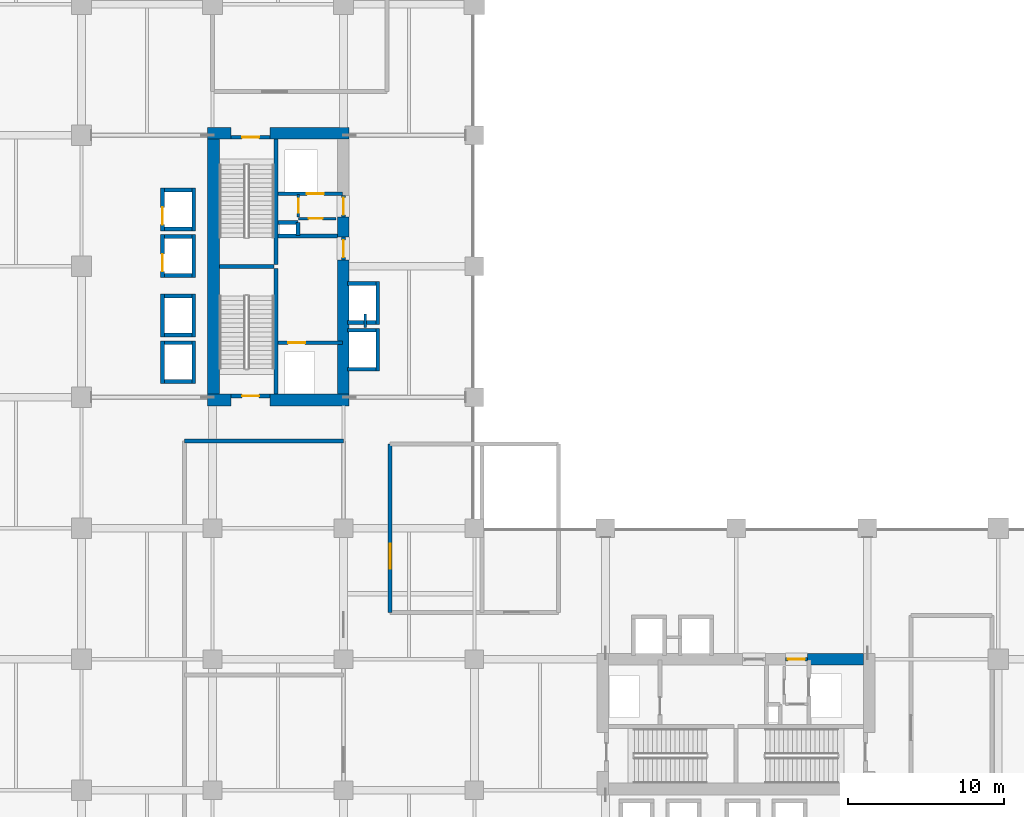
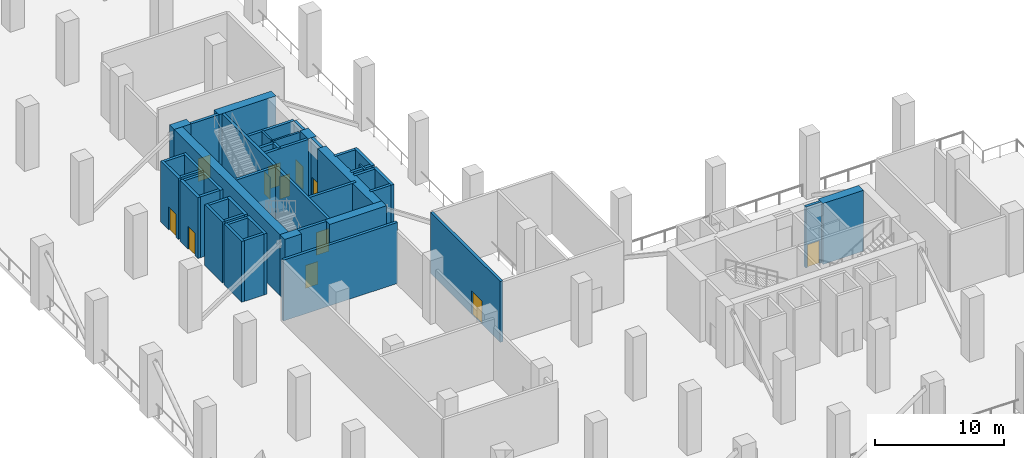
# One storey, part 13 of 19: 48 walls, 12 doors, 12 openings.
"""IFC4 building model written with IfcOpenShell, lengths in metres."""

from ifc_helpers import new_model, si_unit, direction, frame, frame_2d, origin, place, context, subcontext, project, spatial, rectangle, extrude, material, layer, layer_set, type_object, element, fill, save


model = new_model("IFC4")

# Units and contexts
model_context = context("Model", 3, precision=1e-05, world=origin(), true_north=direction((0.0, 1.0)))
body_context = subcontext(model_context, "Body", "Model", "MODEL_VIEW")
ifc_project = project(units=[si_unit("LENGTHUNIT", "METRE"), si_unit("AREAUNIT", "SQUARE_METRE"), si_unit("VOLUMEUNIT", "CUBIC_METRE"), si_unit("PLANEANGLEUNIT", "RADIAN"), si_unit("MASSUNIT", "GRAM", prefix="KILO")], contexts=[model_context])

# Site, building, storey
site_placement = place(None, origin())
site = spatial("IfcSite", under=ifc_project, at=site_placement, CompositionType="ELEMENT")
building_placement = place(site_placement, origin())
building = spatial("IfcBuilding", under=site, at=building_placement, Name="Koriwani Terraces Tower", CompositionType="ELEMENT")
storey_placement = place(building_placement, frame((0.0, 0.0, 94.0)))
storey = spatial("IfcBuildingStorey", under=building, at=storey_placement, Name="L22", CompositionType="ELEMENT", Elevation=94.0)

# Walls
ifc_material_1 = material(Name="Concrete C60/75", Category="concrete")
ifc_layer_1 = layer(ifc_material_1, 0.75, Name="Concrete C60/75")
ifc_layer_set_1 = layer_set([ifc_layer_1], Name="Concrete C60/75")
wall_type_1 = type_object("IfcWallType", Name="WALL_CORE_RC_750", PredefinedType="SHEAR", material=ifc_layer_set_1)
wall_1_placement = place(storey_placement, frame((16.5, 41.824951171875, 0.0), z_axis=(0.0, 0.0, 1.0), x_axis=(1.0, 0.0, 0.0)))
element("IfcWall", 1, at=wall_1_placement, inside=storey, type_object=wall_type_1, Name="L22 West Split Core Shear Wall S1", PredefinedType="SHEAR", context=body_context, shape_type="SweptSolid", body=[
    extrude(rectangle(XDim=1.5, YDim=0.75, at=frame_2d((0.75, 0.0))), origin(), (0.0, 0.0, 1.0), 5.75),
])
wall_2_placement = place(storey_placement, frame((20.5, 41.824951171875, 0.0), z_axis=(0.0, 0.0, 1.0), x_axis=(1.0, 0.0, 0.0)))
element("IfcWall", 2, at=wall_2_placement, inside=storey, type_object=wall_type_1, Name="L22 West Split Core Shear Wall S2", PredefinedType="SHEAR", context=body_context, shape_type="SweptSolid", body=[
    extrude(rectangle(XDim=5.074951171875, YDim=0.75, at=frame_2d((2.53759765625, 0.0))), origin(), (0.0, 0.0, 1.0), 5.75),
])
wall_3_placement = place(storey_placement, frame((16.5, 58.925048828125, 0.0), z_axis=(0.0, 0.0, 1.0), x_axis=(1.0, 0.0, 0.0)))
element("IfcWall", 3, at=wall_3_placement, inside=storey, type_object=wall_type_1, Name="L22 West Split Core Shear Wall N1", PredefinedType="SHEAR", context=body_context, shape_type="SweptSolid", body=[
    extrude(rectangle(XDim=1.5, YDim=0.75, at=frame_2d((0.75, 0.0))), origin(), (0.0, 0.0, 1.0), 5.75),
])
wall_4_placement = place(storey_placement, frame((20.5, 58.925048828125, 0.0), z_axis=(0.0, 0.0, 1.0), x_axis=(1.0, 0.0, 0.0)))
element("IfcWall", 4, at=wall_4_placement, inside=storey, type_object=wall_type_1, Name="L22 West Split Core Shear Wall N2", PredefinedType="SHEAR", context=body_context, shape_type="SweptSolid", body=[
    extrude(rectangle(XDim=5.074951171875, YDim=0.75, at=frame_2d((2.53759765625, 0.0))), origin(), (0.0, 0.0, 1.0), 5.75),
])
wall_5_placement = place(storey_placement, frame((16.875, 42.199951171875, 0.0), z_axis=(0.0, 0.0, 1.0), x_axis=(0.0, 1.0, 0.0)))
element("IfcWall", 5, at=wall_5_placement, inside=storey, type_object=wall_type_1, Name="L22 West Split Core Shear Wall W1", PredefinedType="SHEAR", context=body_context, shape_type="SweptSolid", body=[
    extrude(rectangle(XDim=16.35009765625, YDim=0.75, at=frame_2d((8.175048828125, 0.0))), origin(), (0.0, 0.0, 1.0), 5.75),
])
wall_6_placement = place(storey_placement, frame((25.199951171875, 42.199951171875, 0.0), z_axis=(0.0, 0.0, 1.0), x_axis=(0.0, 1.0, 0.0)))
element("IfcWall", 6, at=wall_6_placement, inside=storey, type_object=wall_type_1, Name="L22 West Split Core Shear Wall E1", PredefinedType="SHEAR", context=body_context, shape_type="SweptSolid", body=[
    extrude(rectangle(XDim=8.60009765625, YDim=0.75, at=frame_2d((4.300048828125, 0.0))), origin(), (0.0, 0.0, 1.0), 5.75),
])
wall_7_placement = place(storey_placement, frame((25.199951171875, 52.280029296875, 0.0), z_axis=(0.0, 0.0, 1.0), x_axis=(0.0, 1.0, 0.0)))
element("IfcWall", 7, at=wall_7_placement, inside=storey, type_object=wall_type_1, Name="L22 West Split Core Shear Wall E2", PredefinedType="SHEAR", context=body_context, shape_type="SweptSolid", body=[
    extrude(rectangle(XDim=1.27001953125, YDim=0.75, at=frame_2d((0.635009765625, 0.0))), origin(), (0.0, 0.0, 1.0), 5.75),
])
wall_8_placement = place(storey_placement, frame((54.949951171875, 25.199951171875, 0.0), z_axis=(0.0, 0.0, 1.0), x_axis=(1.0, 0.0, 0.0)))
element("IfcWall", 8, at=wall_8_placement, inside=storey, type_object=wall_type_1, Name="L22 East Split Core Shear Wall N3", PredefinedType="SHEAR", context=body_context, shape_type="SweptSolid", body=[
    extrude(rectangle(XDim=3.60009765625, YDim=0.75, at=frame_2d((1.800048828125, 0.0))), origin(), (0.0, 0.0, 1.0), 5.75),
])
ifc_material_2 = material(Name="Concrete C40/50", Category="concrete")
ifc_layer_2 = layer(ifc_material_2, 0.25, Name="Concrete C40/50")
ifc_layer_set_2 = layer_set([ifc_layer_2], Name="Concrete C40/50")
wall_type_2 = type_object("IfcWallType", Name="WALL_SHAFT_RATED_250", PredefinedType="SOLIDWALL", material=ifc_layer_set_2)
for number, where, z_axis, x_axis, name in (
    (9, (20.875, 42.199951171875, 0.0), (0.0, 0.0, 1.0), (0.0, 1.0, 0.0), "L22 West Split Core Web Wall MID1"),
    (10, (20.875, 50.5, 0.0), (0.0, 0.0, 1.0), (0.0, 1.0, 0.0), "L22 West Split Core Web Wall MID2"),
):
    element("IfcWall", number, at=place(storey_placement, frame(where, z_axis=z_axis, x_axis=x_axis)), inside=storey, type_object=wall_type_2, Name=name, PredefinedType="SOLIDWALL", context=body_context, shape_type="SweptSolid", body=[
        extrude(rectangle(XDim=8.050048828125, YDim=0.25, at=frame_2d((4.02490234375, 0.0))), origin(), (0.0, 0.0, 1.0), 5.75),
    ])
wall_9_placement = place(storey_placement, frame((17.25, 50.375, 0.0), z_axis=(0.0, 0.0, 1.0), x_axis=(1.0, 0.0, 0.0)))
element("IfcWall", 11, at=wall_9_placement, inside=storey, type_object=wall_type_2, Name="L22 West Split Core Stair Dividing Wall", PredefinedType="SOLIDWALL", context=body_context, shape_type="SweptSolid", body=[
    extrude(rectangle(XDim=3.5, YDim=0.25, at=frame_2d((1.75, 0.0))), origin(), (0.0, 0.0, 1.0), 5.75),
])

# Wall, opening, door
wall_10_placement = place(storey_placement, frame((18.0, 42.074951171875, 0.0), z_axis=(0.0, 0.0, 1.0), x_axis=(1.0, 0.0, 0.0)))
wall_10 = element("IfcWall", 12, at=wall_10_placement, inside=storey, type_object=wall_type_2, Name="L22 Interior Wall WIN-CW-L22-STS", PredefinedType="SOLIDWALL", context=body_context, shape_type="SweptSolid", body=[
    extrude(rectangle(XDim=2.5, YDim=0.25, at=frame_2d((1.25, 0.0))), origin(), (0.0, 0.0, 1.0), 5.75),
])
opening_1_placement = place(wall_10_placement, frame((0.699951171875, 0.0, 0.0)))
opening_1 = element("IfcOpeningElement", 13, at=opening_1_placement, cuts=wall_10, Name="Opening D-03", PredefinedType="OPENING", context=body_context, shape_type="SweptSolid", body=[
    extrude(rectangle(XDim=1.10009765625, YDim=2.14990234375, at=frame_2d((0.550048828125, 1.074951171875))), frame((0.0, 0.135009765625, 0.0), z_axis=(0.0, -1.0, 0.0), x_axis=(1.0, 0.0, 0.0)), (0.0, 0.0, 1.0), 0.27001953125),
])
ifc_material_3 = material(Name="Steel ASTM A572 Grade 50", Category="steel")
door_type_1 = type_object("IfcDoorType", Name="DOOR_STAIR_FIRE_1100X2150", OperationType="NOTDEFINED", PredefinedType="DOOR", material=ifc_material_3)
door_1_placement = place(opening_1_placement, origin())
door_1 = element("IfcDoor", 14, at=door_1_placement, inside=storey, type_object=door_type_1, Name="L22 Exit Stair ST-W1 Door", OperationType="SINGLE_SWING_RIGHT", OverallHeight=2.14990234375, OverallWidth=1.10009765625, PredefinedType="DOOR", context=body_context, shape_type="SweptSolid", body=[
    extrude(rectangle(XDim=1.10009765625, YDim=2.14990234375, at=frame_2d((0.550048828125, 1.074951171875))), frame((0.0, 0.02490234375, 0.0), z_axis=(0.0, -1.0, 0.0), x_axis=(1.0, 0.0, 0.0)), (0.0, 0.0, 1.0), 0.050048828125),
])
fill(opening_1, door_1)

wall_11_placement = place(storey_placement, frame((18.0, 58.675048828125, 0.0), z_axis=(0.0, 0.0, 1.0), x_axis=(1.0, 0.0, 0.0)))
wall_11 = element("IfcWall", 15, at=wall_11_placement, inside=storey, type_object=wall_type_2, Name="L22 Interior Wall WIN-CW-L22-STN", PredefinedType="SOLIDWALL", context=body_context, shape_type="SweptSolid", body=[
    extrude(rectangle(XDim=2.5, YDim=0.25, at=frame_2d((1.25, 0.0))), origin(), (0.0, 0.0, 1.0), 5.75),
])
opening_2_placement = place(wall_11_placement, frame((0.699951171875, 0.0, 0.0)))
opening_2 = element("IfcOpeningElement", 16, at=opening_2_placement, cuts=wall_11, Name="Opening D-03", PredefinedType="OPENING", context=body_context, shape_type="SweptSolid", body=[
    extrude(rectangle(XDim=1.10009765625, YDim=2.14990234375, at=frame_2d((0.550048828125, 1.074951171875))), frame((0.0, 0.135009765625, 0.0), z_axis=(0.0, -1.0, 0.0), x_axis=(1.0, 0.0, 0.0)), (0.0, 0.0, 1.0), 0.27001953125),
])
door_2_placement = place(opening_2_placement, origin())
door_2 = element("IfcDoor", 17, at=door_2_placement, inside=storey, type_object=door_type_1, Name="L22 Exit Stair ST-W2 Door", OperationType="SINGLE_SWING_LEFT", OverallHeight=2.14990234375, OverallWidth=1.10009765625, PredefinedType="DOOR", context=body_context, shape_type="SweptSolid", body=[
    extrude(rectangle(XDim=1.10009765625, YDim=2.14990234375, at=frame_2d((0.550048828125, 1.074951171875))), frame((0.0, 0.02490234375, 0.0), z_axis=(0.0, -1.0, 0.0), x_axis=(1.0, 0.0, 0.0)), (0.0, 0.0, 1.0), 0.050048828125),
])
fill(opening_2, door_2)

wall_12_placement = place(storey_placement, frame((21.0, 45.5, 0.0), z_axis=(0.0, 0.0, 1.0), x_axis=(1.0, 0.0, 0.0)))
wall_12 = element("IfcWall", 18, at=wall_12_placement, inside=storey, type_object=wall_type_2, Name="L22 Interior Wall WIN-CW-L22-FE", PredefinedType="SOLIDWALL", context=body_context, shape_type="SweptSolid", body=[
    extrude(rectangle(XDim=4.14990234375, YDim=0.25, at=frame_2d((2.074951171875, 0.0))), origin(), (0.0, 0.0, 1.0), 5.75),
])
opening_3_placement = place(wall_12_placement, frame((0.64990234375, 0.0, 0.0)))
opening_3 = element("IfcOpeningElement", 19, at=opening_3_placement, cuts=wall_12, Name="Opening LD-01", PredefinedType="OPENING", context=body_context, shape_type="SweptSolid", body=[
    extrude(rectangle(XDim=1.10009765625, YDim=2.14990234375, at=frame_2d((0.550048828125, 1.074951171875))), frame((0.0, 0.135009765625, 0.0), z_axis=(0.0, -1.0, 0.0), x_axis=(1.0, 0.0, 0.0)), (0.0, 0.0, 1.0), 0.27001953125),
])
door_type_2 = type_object("IfcDoorType", Name="DOOR_LIFT_LANDING_1100X2200", OperationType="NOTDEFINED", PredefinedType="DOOR", material=ifc_material_3)
door_3_placement = place(opening_3_placement, origin())
door_3 = element("IfcDoor", 20, at=door_3_placement, inside=storey, type_object=door_type_2, Name="L22 Firefighting Lift FE-01 Landing Door", OperationType="SLIDING_TO_LEFT", OverallHeight=2.14990234375, OverallWidth=1.10009765625, PredefinedType="DOOR", context=body_context, shape_type="SweptSolid", body=[
    extrude(rectangle(XDim=1.10009765625, YDim=2.14990234375, at=frame_2d((0.550048828125, 1.074951171875))), frame((0.0, 0.02490234375, 0.0), z_axis=(0.0, -1.0, 0.0), x_axis=(1.0, 0.0, 0.0)), (0.0, 0.0, 1.0), 0.050048828125),
])
fill(opening_3, door_3)

wall_13_placement = place(storey_placement, frame((25.199951171875, 50.800048828125, 0.0), z_axis=(0.0, 0.0, 1.0), x_axis=(0.0, 1.0, 0.0)))
wall_13 = element("IfcWall", 21, at=wall_13_placement, inside=storey, type_object=wall_type_2, Name="L22 Interior Wall WIN-CW-L22-EP", PredefinedType="SOLIDWALL", context=body_context, shape_type="SweptSolid", body=[
    extrude(rectangle(XDim=1.47998046875, YDim=0.25, at=frame_2d((0.739990234375, 0.0))), origin(), (0.0, 0.0, 1.0), 5.75),
])
opening_4_placement = place(wall_13_placement, frame((0.179931640625, 0.0, 0.0)))
opening_4 = element("IfcOpeningElement", 22, at=opening_4_placement, cuts=wall_13, Name="Opening D-03", PredefinedType="OPENING", context=body_context, shape_type="SweptSolid", body=[
    extrude(rectangle(XDim=1.10009765625, YDim=2.14990234375, at=frame_2d((0.550048828125, 1.074951171875))), frame((0.0, 0.135009765625, 0.0), z_axis=(0.0, -1.0, 0.0), x_axis=(1.0, 0.0, 0.0)), (0.0, 0.0, 1.0), 0.27001953125),
])
door_4_placement = place(opening_4_placement, origin())
door_4 = element("IfcDoor", 23, at=door_4_placement, inside=storey, type_object=door_type_1, Name="L22 West Firefighting Lobby Door", OperationType="SINGLE_SWING_RIGHT", OverallHeight=2.14990234375, OverallWidth=1.10009765625, PredefinedType="DOOR", context=body_context, shape_type="SweptSolid", body=[
    extrude(rectangle(XDim=1.10009765625, YDim=2.14990234375, at=frame_2d((0.550048828125, 1.074951171875))), frame((0.0, 0.02490234375, 0.0), z_axis=(0.0, -1.0, 0.0), x_axis=(1.0, 0.0, 0.0)), (0.0, 0.0, 1.0), 0.050048828125),
])
fill(opening_4, door_4)

# Wall
wall_14_placement = place(storey_placement, frame((21.0, 52.340087890625, 0.0), z_axis=(0.0, 0.0, 1.0), x_axis=(1.0, 0.0, 0.0)))
element("IfcWall", 24, at=wall_14_placement, inside=storey, type_object=wall_type_2, Name="L22 Interior Wall WIN-CW-L22-FFN", PredefinedType="SOLIDWALL", context=body_context, shape_type="SweptSolid", body=[
    extrude(rectangle(XDim=3.824951171875, YDim=0.25, at=frame_2d((1.91259765625, 0.0))), origin(), (0.0, 0.0, 1.0), 5.75),
])

# Wall, opening, door
wall_15_placement = place(storey_placement, frame((21.0, 55.050048828125, 0.0), z_axis=(0.0, 0.0, 1.0), x_axis=(1.0, 0.0, 0.0)))
wall_15 = element("IfcWall", 25, at=wall_15_placement, inside=storey, type_object=wall_type_2, Name="L22 Interior Wall WIN-CW-L22-SE", PredefinedType="SOLIDWALL", context=body_context, shape_type="SweptSolid", body=[
    extrude(rectangle(XDim=4.14990234375, YDim=0.25, at=frame_2d((2.074951171875, 0.0))), origin(), (0.0, 0.0, 1.0), 5.75),
])
opening_5_placement = place(wall_15_placement, frame((1.85009765625, 0.0, 0.0)))
opening_5 = element("IfcOpeningElement", 26, at=opening_5_placement, cuts=wall_15, Name="Opening LD-01", PredefinedType="OPENING", context=body_context, shape_type="SweptSolid", body=[
    extrude(rectangle(XDim=1.10009765625, YDim=2.14990234375, at=frame_2d((0.550048828125, 1.074951171875))), frame((0.0, 0.135009765625, 0.0), z_axis=(0.0, -1.0, 0.0), x_axis=(1.0, 0.0, 0.0)), (0.0, 0.0, 1.0), 0.27001953125),
])
door_5_placement = place(opening_5_placement, origin())
door_5 = element("IfcDoor", 27, at=door_5_placement, inside=storey, type_object=door_type_2, Name="L22 Goods Lift SE-01 Landing Door", OperationType="SLIDING_TO_LEFT", OverallHeight=2.14990234375, OverallWidth=1.10009765625, PredefinedType="DOOR", context=body_context, shape_type="SweptSolid", body=[
    extrude(rectangle(XDim=1.10009765625, YDim=2.14990234375, at=frame_2d((0.550048828125, 1.074951171875))), frame((0.0, 0.02490234375, 0.0), z_axis=(0.0, -1.0, 0.0), x_axis=(1.0, 0.0, 0.0)), (0.0, 0.0, 1.0), 0.050048828125),
])
fill(opening_5, door_5)

wall_16_placement = place(storey_placement, frame((25.199951171875, 53.550048828125, 0.0), z_axis=(0.0, 0.0, 1.0), x_axis=(0.0, 1.0, 0.0)))
wall_16 = element("IfcWall", 28, at=wall_16_placement, inside=storey, type_object=wall_type_2, Name="L22 Interior Wall WIN-CW-L22-EP2", PredefinedType="SOLIDWALL", context=body_context, shape_type="SweptSolid", body=[
    extrude(rectangle(XDim=1.39990234375, YDim=0.25, at=frame_2d((0.699951171875, 0.0))), origin(), (0.0, 0.0, 1.0), 5.75),
])
opening_6_placement = place(wall_16_placement, frame((0.14990234375, 0.0, 0.0)))
opening_6 = element("IfcOpeningElement", 29, at=opening_6_placement, cuts=wall_16, Name="Opening D-03", PredefinedType="OPENING", context=body_context, shape_type="SweptSolid", body=[
    extrude(rectangle(XDim=1.10009765625, YDim=2.14990234375, at=frame_2d((0.550048828125, 1.074951171875))), frame((0.0, 0.135009765625, 0.0), z_axis=(0.0, -1.0, 0.0), x_axis=(1.0, 0.0, 0.0)), (0.0, 0.0, 1.0), 0.27001953125),
])
door_6_placement = place(opening_6_placement, origin())
door_6 = element("IfcDoor", 30, at=door_6_placement, inside=storey, type_object=door_type_1, Name="L22 West Goods Lift Lobby Door", OperationType="SINGLE_SWING_LEFT", OverallHeight=2.14990234375, OverallWidth=1.10009765625, PredefinedType="DOOR", context=body_context, shape_type="SweptSolid", body=[
    extrude(rectangle(XDim=1.10009765625, YDim=2.14990234375, at=frame_2d((0.550048828125, 1.074951171875))), frame((0.0, 0.02490234375, 0.0), z_axis=(0.0, -1.0, 0.0), x_axis=(1.0, 0.0, 0.0)), (0.0, 0.0, 1.0), 0.050048828125),
])
fill(opening_6, door_6)

# Walls
wall_17_placement = place(storey_placement, frame((21.0, 53.199951171875, 0.0), z_axis=(0.0, 0.0, 1.0), x_axis=(1.0, 0.0, 0.0)))
element("IfcWall", 31, at=wall_17_placement, inside=storey, type_object=wall_type_2, Name="L22 Interior Wall WIN-CW-L22-RS1", PredefinedType="SOLIDWALL", context=body_context, shape_type="SweptSolid", body=[
    extrude(rectangle(XDim=1.300048828125, YDim=0.25, at=frame_2d((0.64990234375, 0.0))), origin(), (0.0, 0.0, 1.0), 5.75),
])
wall_18_placement = place(storey_placement, frame((22.300048828125, 52.360107421875, 0.0), z_axis=(0.0, 0.0, 1.0), x_axis=(0.0, 1.0, 0.0)))
element("IfcWall", 32, at=wall_18_placement, inside=storey, type_object=wall_type_2, Name="L22 Interior Wall WIN-CW-L22-RS2", PredefinedType="SOLIDWALL", context=body_context, shape_type="SweptSolid", body=[
    extrude(rectangle(XDim=0.83984375, YDim=0.25, at=frame_2d((0.419921875, 0.0))), origin(), (0.0, 0.0, 1.0), 5.75),
])

# Wall, opening, door
wall_19_placement = place(storey_placement, frame((53.550048828125, 25.199951171875, 0.0), z_axis=(0.0, 0.0, 1.0), x_axis=(1.0, 0.0, 0.0)))
wall_19 = element("IfcWall", 33, at=wall_19_placement, inside=storey, type_object=wall_type_2, Name="L22 Interior Wall WIN-CE-L22-NP2", PredefinedType="SOLIDWALL", context=body_context, shape_type="SweptSolid", body=[
    extrude(rectangle(XDim=1.39990234375, YDim=0.25, at=frame_2d((0.699951171875, 0.0))), origin(), (0.0, 0.0, 1.0), 5.75),
])
opening_7_placement = place(wall_19_placement, frame((0.14990234375, 0.0, 0.0)))
opening_7 = element("IfcOpeningElement", 34, at=opening_7_placement, cuts=wall_19, Name="Opening D-03", PredefinedType="OPENING", context=body_context, shape_type="SweptSolid", body=[
    extrude(rectangle(XDim=1.10009765625, YDim=2.14990234375, at=frame_2d((0.550048828125, 1.074951171875))), frame((0.0, 0.135009765625, 0.0), z_axis=(0.0, -1.0, 0.0), x_axis=(1.0, 0.0, 0.0)), (0.0, 0.0, 1.0), 0.27001953125),
])
door_7_placement = place(opening_7_placement, origin())
door_7 = element("IfcDoor", 35, at=door_7_placement, inside=storey, type_object=door_type_1, Name="L22 East Goods Lift Lobby Door", OperationType="SINGLE_SWING_LEFT", OverallHeight=2.14990234375, OverallWidth=1.10009765625, PredefinedType="DOOR", context=body_context, shape_type="SweptSolid", body=[
    extrude(rectangle(XDim=1.10009765625, YDim=2.14990234375, at=frame_2d((0.550048828125, 1.074951171875))), frame((0.0, 0.02490234375, 0.0), z_axis=(0.0, -1.0, 0.0), x_axis=(1.0, 0.0, 0.0)), (0.0, 0.0, 1.0), 0.050048828125),
])
fill(opening_7, door_7)

# Walls
for number, where, z_axis, x_axis, name in (
    (36, (13.60009765625, 42.875, 0.0), (0.0, 0.0, 1.0), (0.0, 1.0, 0.0), "L22 Interior Wall WIN-LF-PE-L1-L22-F"),
    (37, (15.60009765625, 42.875, 0.0), (0.0, 0.0, 1.0), (0.0, 1.0, 0.0), "L22 Interior Wall WIN-LF-PE-L1-L22-B"),
):
    element("IfcWall", number, at=place(storey_placement, frame(where, z_axis=z_axis, x_axis=x_axis)), inside=storey, type_object=wall_type_2, Name=name, PredefinedType="SOLIDWALL", context=body_context, shape_type="SweptSolid", body=[
        extrude(rectangle(XDim=2.75, YDim=0.25, at=frame_2d((1.375, 0.0))), origin(), (0.0, 0.0, 1.0), 5.75),
    ])
for number, where, z_axis, x_axis, name in (
    (38, (13.72509765625, 43.0, 0.0), (0.0, 0.0, 1.0), (1.0, 0.0, 0.0), "L22 Interior Wall WIN-LF-PE-L1-L22-S"),
    (39, (13.72509765625, 45.5, 0.0), (0.0, 0.0, 1.0), (1.0, 0.0, 0.0), "L22 Interior Wall WIN-LF-PE-L1-L22-N"),
):
    element("IfcWall", number, at=place(storey_placement, frame(where, z_axis=z_axis, x_axis=x_axis)), inside=storey, type_object=wall_type_2, Name=name, PredefinedType="SOLIDWALL", context=body_context, shape_type="SweptSolid", body=[
        extrude(rectangle(XDim=1.75, YDim=0.25, at=frame_2d((0.875, 0.0))), origin(), (0.0, 0.0, 1.0), 5.75),
    ])
for number, where, z_axis, x_axis, name in (
    (40, (13.60009765625, 45.875, 0.0), (0.0, 0.0, 1.0), (0.0, 1.0, 0.0), "L22 Interior Wall WIN-LF-PE-L2-L22-F"),
    (41, (15.60009765625, 45.875, 0.0), (0.0, 0.0, 1.0), (0.0, 1.0, 0.0), "L22 Interior Wall WIN-LF-PE-L2-L22-B"),
):
    element("IfcWall", number, at=place(storey_placement, frame(where, z_axis=z_axis, x_axis=x_axis)), inside=storey, type_object=wall_type_2, Name=name, PredefinedType="SOLIDWALL", context=body_context, shape_type="SweptSolid", body=[
        extrude(rectangle(XDim=2.75, YDim=0.25, at=frame_2d((1.375, 0.0))), origin(), (0.0, 0.0, 1.0), 5.75),
    ])
for number, where, z_axis, x_axis, name in (
    (42, (13.72509765625, 46.0, 0.0), (0.0, 0.0, 1.0), (1.0, 0.0, 0.0), "L22 Interior Wall WIN-LF-PE-L2-L22-S"),
    (43, (13.72509765625, 48.5, 0.0), (0.0, 0.0, 1.0), (1.0, 0.0, 0.0), "L22 Interior Wall WIN-LF-PE-L2-L22-N"),
):
    element("IfcWall", number, at=place(storey_placement, frame(where, z_axis=z_axis, x_axis=x_axis)), inside=storey, type_object=wall_type_2, Name=name, PredefinedType="SOLIDWALL", context=body_context, shape_type="SweptSolid", body=[
        extrude(rectangle(XDim=1.75, YDim=0.25, at=frame_2d((0.875, 0.0))), origin(), (0.0, 0.0, 1.0), 5.75),
    ])

# Wall, opening, door
wall_20_placement = place(storey_placement, frame((13.60009765625, 49.675048828125, 0.0), z_axis=(0.0, 0.0, 1.0), x_axis=(0.0, 1.0, 0.0)))
wall_20 = element("IfcWall", 44, at=wall_20_placement, inside=storey, type_object=wall_type_2, Name="L22 Interior Wall WIN-LF-PE-M1-L22-F", PredefinedType="SOLIDWALL", context=body_context, shape_type="SweptSolid", body=[
    extrude(rectangle(XDim=2.75, YDim=0.25, at=frame_2d((1.375, 0.0))), origin(), (0.0, 0.0, 1.0), 5.75),
])
opening_8_placement = place(wall_20_placement, frame((0.39990234375, 0.0, 0.0)))
opening_8 = element("IfcOpeningElement", 45, at=opening_8_placement, cuts=wall_20, Name="Opening LD-01", PredefinedType="OPENING", context=body_context, shape_type="SweptSolid", body=[
    extrude(rectangle(XDim=1.10009765625, YDim=2.14990234375, at=frame_2d((0.550048828125, 1.074951171875))), frame((0.0, 0.135009765625, 0.0), z_axis=(0.0, -1.0, 0.0), x_axis=(1.0, 0.0, 0.0)), (0.0, 0.0, 1.0), 0.27001953125),
])
door_8_placement = place(opening_8_placement, origin())
door_8 = element("IfcDoor", 46, at=door_8_placement, inside=storey, type_object=door_type_2, Name="L22 Passenger Lift PE-M1 Landing Door", OperationType="SLIDING_TO_LEFT", OverallHeight=2.14990234375, OverallWidth=1.10009765625, PredefinedType="DOOR", context=body_context, shape_type="SweptSolid", body=[
    extrude(rectangle(XDim=1.10009765625, YDim=2.14990234375, at=frame_2d((0.550048828125, 1.074951171875))), frame((0.0, 0.02490234375, 0.0), z_axis=(0.0, -1.0, 0.0), x_axis=(1.0, 0.0, 0.0)), (0.0, 0.0, 1.0), 0.050048828125),
])
fill(opening_8, door_8)

# Walls
wall_21_placement = place(storey_placement, frame((15.60009765625, 49.675048828125, 0.0), z_axis=(0.0, 0.0, 1.0), x_axis=(0.0, 1.0, 0.0)))
element("IfcWall", 47, at=wall_21_placement, inside=storey, type_object=wall_type_2, Name="L22 Interior Wall WIN-LF-PE-M1-L22-B", PredefinedType="SOLIDWALL", context=body_context, shape_type="SweptSolid", body=[
    extrude(rectangle(XDim=2.75, YDim=0.25, at=frame_2d((1.375, 0.0))), origin(), (0.0, 0.0, 1.0), 5.75),
])
for number, where, z_axis, x_axis, name in (
    (48, (13.72509765625, 49.800048828125, 0.0), (0.0, 0.0, 1.0), (1.0, 0.0, 0.0), "L22 Interior Wall WIN-LF-PE-M1-L22-S"),
    (49, (13.72509765625, 52.300048828125, 0.0), (0.0, 0.0, 1.0), (1.0, 0.0, 0.0), "L22 Interior Wall WIN-LF-PE-M1-L22-N"),
):
    element("IfcWall", number, at=place(storey_placement, frame(where, z_axis=z_axis, x_axis=x_axis)), inside=storey, type_object=wall_type_2, Name=name, PredefinedType="SOLIDWALL", context=body_context, shape_type="SweptSolid", body=[
        extrude(rectangle(XDim=1.75, YDim=0.25, at=frame_2d((0.875, 0.0))), origin(), (0.0, 0.0, 1.0), 5.75),
    ])

# Wall, opening, door
wall_22_placement = place(storey_placement, frame((13.60009765625, 52.675048828125, 0.0), z_axis=(0.0, 0.0, 1.0), x_axis=(0.0, 1.0, 0.0)))
wall_22 = element("IfcWall", 50, at=wall_22_placement, inside=storey, type_object=wall_type_2, Name="L22 Interior Wall WIN-LF-PE-M2-L22-F", PredefinedType="SOLIDWALL", context=body_context, shape_type="SweptSolid", body=[
    extrude(rectangle(XDim=2.75, YDim=0.25, at=frame_2d((1.375, 0.0))), origin(), (0.0, 0.0, 1.0), 5.75),
])
opening_9_placement = place(wall_22_placement, frame((0.39990234375, 0.0, 0.0)))
opening_9 = element("IfcOpeningElement", 51, at=opening_9_placement, cuts=wall_22, Name="Opening LD-01", PredefinedType="OPENING", context=body_context, shape_type="SweptSolid", body=[
    extrude(rectangle(XDim=1.10009765625, YDim=2.14990234375, at=frame_2d((0.550048828125, 1.074951171875))), frame((0.0, 0.135009765625, 0.0), z_axis=(0.0, -1.0, 0.0), x_axis=(1.0, 0.0, 0.0)), (0.0, 0.0, 1.0), 0.27001953125),
])
door_9_placement = place(opening_9_placement, origin())
door_9 = element("IfcDoor", 52, at=door_9_placement, inside=storey, type_object=door_type_2, Name="L22 Passenger Lift PE-M2 Landing Door", OperationType="SLIDING_TO_LEFT", OverallHeight=2.14990234375, OverallWidth=1.10009765625, PredefinedType="DOOR", context=body_context, shape_type="SweptSolid", body=[
    extrude(rectangle(XDim=1.10009765625, YDim=2.14990234375, at=frame_2d((0.550048828125, 1.074951171875))), frame((0.0, 0.02490234375, 0.0), z_axis=(0.0, -1.0, 0.0), x_axis=(1.0, 0.0, 0.0)), (0.0, 0.0, 1.0), 0.050048828125),
])
fill(opening_9, door_9)

# Walls
wall_23_placement = place(storey_placement, frame((15.60009765625, 52.675048828125, 0.0), z_axis=(0.0, 0.0, 1.0), x_axis=(0.0, 1.0, 0.0)))
element("IfcWall", 53, at=wall_23_placement, inside=storey, type_object=wall_type_2, Name="L22 Interior Wall WIN-LF-PE-M2-L22-B", PredefinedType="SOLIDWALL", context=body_context, shape_type="SweptSolid", body=[
    extrude(rectangle(XDim=2.75, YDim=0.25, at=frame_2d((1.375, 0.0))), origin(), (0.0, 0.0, 1.0), 5.75),
])
for number, where, z_axis, x_axis, name in (
    (54, (13.72509765625, 52.800048828125, 0.0), (0.0, 0.0, 1.0), (1.0, 0.0, 0.0), "L22 Interior Wall WIN-LF-PE-M2-L22-S"),
    (55, (13.72509765625, 55.300048828125, 0.0), (0.0, 0.0, 1.0), (1.0, 0.0, 0.0), "L22 Interior Wall WIN-LF-PE-M2-L22-N"),
):
    element("IfcWall", number, at=place(storey_placement, frame(where, z_axis=z_axis, x_axis=x_axis)), inside=storey, type_object=wall_type_2, Name=name, PredefinedType="SOLIDWALL", context=body_context, shape_type="SweptSolid", body=[
        extrude(rectangle(XDim=1.75, YDim=0.25, at=frame_2d((0.875, 0.0))), origin(), (0.0, 0.0, 1.0), 5.75),
    ])
wall_24_placement = place(storey_placement, frame((27.39990234375, 43.675048828125, 0.0), z_axis=(0.0, 0.0, 1.0), x_axis=(0.0, 1.0, 0.0)))
element("IfcWall", 56, at=wall_24_placement, inside=storey, type_object=wall_type_2, Name="L22 Interior Wall WIN-LF-PE-H1-L22-F", PredefinedType="SOLIDWALL", context=body_context, shape_type="SweptSolid", body=[
    extrude(rectangle(XDim=2.75, YDim=0.25, at=frame_2d((1.375, 0.0))), origin(), (0.0, 0.0, 1.0), 5.75),
])
for number, where, z_axis, x_axis, name in (
    (57, (25.449951171875, 43.800048828125, 0.0), (0.0, 0.0, 1.0), (1.0, 0.0, 0.0), "L22 Interior Wall WIN-LF-PE-H1-L22-S"),
    (58, (25.449951171875, 46.300048828125, 0.0), (0.0, 0.0, 1.0), (1.0, 0.0, 0.0), "L22 Interior Wall WIN-LF-PE-H1-L22-N"),
):
    element("IfcWall", number, at=place(storey_placement, frame(where, z_axis=z_axis, x_axis=x_axis)), inside=storey, type_object=wall_type_2, Name=name, PredefinedType="SOLIDWALL", context=body_context, shape_type="SweptSolid", body=[
        extrude(rectangle(XDim=1.824951171875, YDim=0.25, at=frame_2d((0.91259765625, 0.0))), origin(), (0.0, 0.0, 1.0), 5.75),
    ])
wall_25_placement = place(storey_placement, frame((27.39990234375, 46.675048828125, 0.0), z_axis=(0.0, 0.0, 1.0), x_axis=(0.0, 1.0, 0.0)))
element("IfcWall", 59, at=wall_25_placement, inside=storey, type_object=wall_type_2, Name="L22 Interior Wall WIN-LF-PE-H2-L22-F", PredefinedType="SOLIDWALL", context=body_context, shape_type="SweptSolid", body=[
    extrude(rectangle(XDim=2.75, YDim=0.25, at=frame_2d((1.375, 0.0))), origin(), (0.0, 0.0, 1.0), 5.75),
])
for number, where, z_axis, x_axis, name in (
    (60, (25.449951171875, 46.800048828125, 0.0), (0.0, 0.0, 1.0), (1.0, 0.0, 0.0), "L22 Interior Wall WIN-LF-PE-H2-L22-S"),
    (61, (25.449951171875, 49.300048828125, 0.0), (0.0, 0.0, 1.0), (1.0, 0.0, 0.0), "L22 Interior Wall WIN-LF-PE-H2-L22-N"),
):
    element("IfcWall", number, at=place(storey_placement, frame(where, z_axis=z_axis, x_axis=x_axis)), inside=storey, type_object=wall_type_2, Name=name, PredefinedType="SOLIDWALL", context=body_context, shape_type="SweptSolid", body=[
        extrude(rectangle(XDim=1.824951171875, YDim=0.25, at=frame_2d((0.91259765625, 0.0))), origin(), (0.0, 0.0, 1.0), 5.75),
    ])
wall_26_placement = place(storey_placement, frame((15.0, 39.199951171875, 0.0), z_axis=(0.0, 0.0, 1.0), x_axis=(1.0, 0.0, 0.0)))
element("IfcWall", 62, at=wall_26_placement, inside=storey, type_object=wall_type_2, Name="L22 Interior Wall WPL-L22-N", PredefinedType="SOLIDWALL", context=body_context, shape_type="SweptSolid", body=[
    extrude(rectangle(XDim=10.199951171875, YDim=0.25, at=frame_2d((5.10009765625, 0.0))), origin(), (0.0, 0.0, 1.0), 5.75),
])

# Wall, opening, door
wall_27_placement = place(storey_placement, frame((28.199951171875, 28.199951171875, 0.0), z_axis=(0.0, 0.0, 1.0), x_axis=(0.0, 1.0, 0.0)))
wall_27 = element("IfcWall", 63, at=wall_27_placement, inside=storey, type_object=wall_type_2, Name="L22 Interior Wall WPL2-L22-W", PredefinedType="SOLIDWALL", context=body_context, shape_type="SweptSolid", body=[
    extrude(rectangle(XDim=10.800048828125, YDim=0.25, at=frame_2d((5.39990234375, 0.0))), origin(), (0.0, 0.0, 1.0), 5.75),
])
opening_10_placement = place(wall_27_placement, frame((2.800048828125, 0.0, 0.0)))
opening_10 = element("IfcOpeningElement", 64, at=opening_10_placement, cuts=wall_27, Name="Opening D-08", PredefinedType="OPENING", context=body_context, shape_type="SweptSolid", body=[
    extrude(rectangle(XDim=1.60009765625, YDim=2.199951171875, at=frame_2d((0.800048828125, 1.10009765625))), frame((0.0, 0.135009765625, 0.0), z_axis=(0.0, -1.0, 0.0), x_axis=(1.0, 0.0, 0.0)), (0.0, 0.0, 1.0), 0.27001953125),
])
door_type_3 = type_object("IfcDoorType", Name="DOOR_PLANT_DOUBLE_1600X2200", OperationType="NOTDEFINED", PredefinedType="DOOR", material=ifc_material_3)
door_10_placement = place(opening_10_placement, origin())
door_10 = element("IfcDoor", 65, at=door_10_placement, inside=storey, type_object=door_type_3, Name="L22 Booster Pump and Tank Room Door", OperationType="SINGLE_SWING_RIGHT", OverallHeight=2.199951171875, OverallWidth=1.60009765625, PredefinedType="DOOR", context=body_context, shape_type="SweptSolid", body=[
    extrude(rectangle(XDim=1.60009765625, YDim=2.199951171875, at=frame_2d((0.800048828125, 1.10009765625))), frame((0.0, 0.02490234375, 0.0), z_axis=(0.0, -1.0, 0.0), x_axis=(1.0, 0.0, 0.0)), (0.0, 0.0, 1.0), 0.050048828125),
])
fill(opening_10, door_10)

ifc_material_4 = material(Name="Fire-Rated Acoustic Gypsum Partition", Category="masonry")
ifc_layer_3 = layer(ifc_material_4, 0.159912109375, Name="Fire-Rated Acoustic Gypsum Partition")
ifc_layer_set_3 = layer_set([ifc_layer_3], Name="Fire-Rated Acoustic Gypsum Partition")
wall_type_3 = type_object("IfcWallType", Name="WALL_SUITE_160", PredefinedType="PARTITIONING", material=ifc_layer_set_3)
wall_28_placement = place(storey_placement, frame((22.320068359375, 53.56005859375, 0.0), z_axis=(0.0, 0.0, 1.0), x_axis=(0.0, 1.0, 0.0)))
wall_28 = element("IfcWall", 66, at=wall_28_placement, inside=storey, type_object=wall_type_3, Name="L22 Interior Wall WIN-CW-L22-SV1A", PredefinedType="PARTITIONING", context=body_context, shape_type="SweptSolid", body=[
    extrude(rectangle(XDim=1.43994140625, YDim=0.159912109375, at=frame_2d((0.719970703125, 0.0))), origin(), (0.0, 0.0, 1.0), 5.75),
])
opening_11_placement = place(wall_28_placement, frame((0.260009765625, 0.0, 0.0)))
opening_11 = element("IfcOpeningElement", 67, at=opening_11_placement, cuts=wall_28, Name="Opening D-07", PredefinedType="OPENING", context=body_context, shape_type="SweptSolid", body=[
    extrude(rectangle(XDim=0.89990234375, YDim=2.10009765625, at=frame_2d((0.449951171875, 1.050048828125))), frame((0.0, 0.08984375, 0.0), z_axis=(0.0, -1.0, 0.0), x_axis=(1.0, 0.0, 0.0)), (0.0, 0.0, 1.0), 0.179931640625),
])
ifc_material_5 = material(Name="Architectural Oak Fire Door", Category="wood")
door_type_4 = type_object("IfcDoorType", Name="DOOR_BATH_INT_900X2100", OperationType="NOTDEFINED", PredefinedType="DOOR", material=ifc_material_5)
door_11_placement = place(opening_11_placement, origin())
door_11 = element("IfcDoor", 68, at=door_11_placement, inside=storey, type_object=door_type_4, Name="L22 West Telecom Room Door", OperationType="SINGLE_SWING_RIGHT", OverallHeight=2.10009765625, OverallWidth=0.89990234375, PredefinedType="DOOR", context=body_context, shape_type="SweptSolid", body=[
    extrude(rectangle(XDim=0.89990234375, YDim=2.10009765625, at=frame_2d((0.449951171875, 1.050048828125))), frame((0.0, 0.02490234375, 0.0), z_axis=(0.0, -1.0, 0.0), x_axis=(1.0, 0.0, 0.0)), (0.0, 0.0, 1.0), 0.050048828125),
])
fill(opening_11, door_11)

wall_29_placement = place(storey_placement, frame((22.320068359375, 53.4599609375, 0.0), z_axis=(0.0, 0.0, 1.0), x_axis=(1.0, 0.0, 0.0)))
wall_29 = element("IfcWall", 69, at=wall_29_placement, inside=storey, type_object=wall_type_3, Name="L22 Interior Wall WIN-CW-L22-SV1B", PredefinedType="PARTITIONING", context=body_context, shape_type="SweptSolid", body=[
    extrude(rectangle(XDim=2.39990234375, YDim=0.159912109375, at=frame_2d((1.199951171875, 0.0))), origin(), (0.0, 0.0, 1.0), 5.75),
])
opening_12_placement = place(wall_29_placement, frame((0.64990234375, 0.0, 0.0)))
opening_12 = element("IfcOpeningElement", 70, at=opening_12_placement, cuts=wall_29, Name="Opening D-07", PredefinedType="OPENING", context=body_context, shape_type="SweptSolid", body=[
    extrude(rectangle(XDim=0.89990234375, YDim=2.10009765625, at=frame_2d((0.449951171875, 1.050048828125))), frame((0.0, 0.08984375, 0.0), z_axis=(0.0, -1.0, 0.0), x_axis=(1.0, 0.0, 0.0)), (0.0, 0.0, 1.0), 0.179931640625),
])
door_12_placement = place(opening_12_placement, origin())
door_12 = element("IfcDoor", 71, at=door_12_placement, inside=storey, type_object=door_type_4, Name="L22 West Cleaners Closet Door", OperationType="SINGLE_SWING_LEFT", OverallHeight=2.10009765625, OverallWidth=0.89990234375, PredefinedType="DOOR", context=body_context, shape_type="SweptSolid", body=[
    extrude(rectangle(XDim=0.89990234375, YDim=2.10009765625, at=frame_2d((0.449951171875, 1.050048828125))), frame((0.0, 0.02490234375, 0.0), z_axis=(0.0, -1.0, 0.0), x_axis=(1.0, 0.0, 0.0)), (0.0, 0.0, 1.0), 0.050048828125),
])
fill(opening_12, door_12)

# Wall
wall_30_placement = place(storey_placement, frame((26.60009765625, 46.4599609375, 0.0), z_axis=(0.0, 0.0, 1.0), x_axis=(0.0, 1.0, 0.0)))
element("IfcWall", 72, at=wall_30_placement, inside=storey, type_object=wall_type_3, Name="L22 Interior Wall WIN-LF-PEH12-MID-L22", PredefinedType="PARTITIONING", context=body_context, shape_type="SweptSolid", body=[
    extrude(rectangle(XDim=0.880126953125, YDim=0.159912109375, at=frame_2d((0.43994140625, 0.0))), origin(), (0.0, 0.0, 1.0), 5.75),
])

save(model, "model.ifc")
